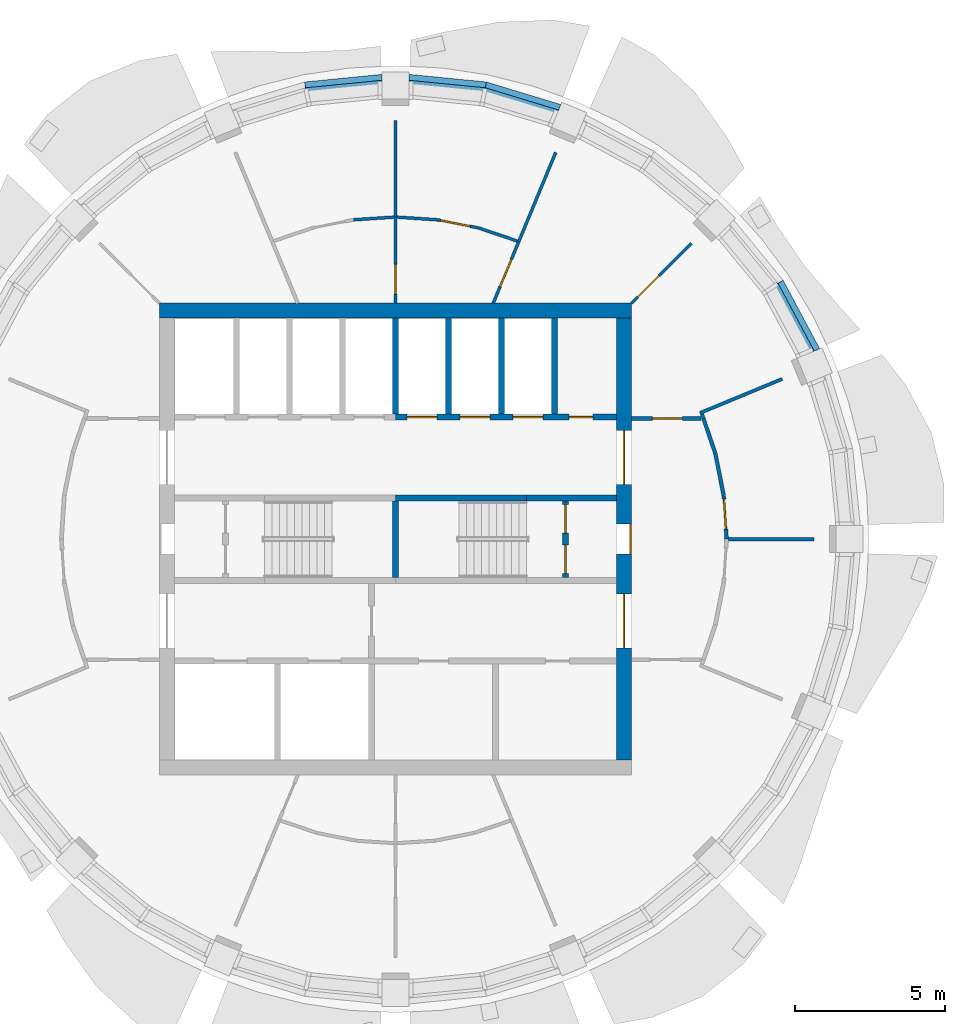
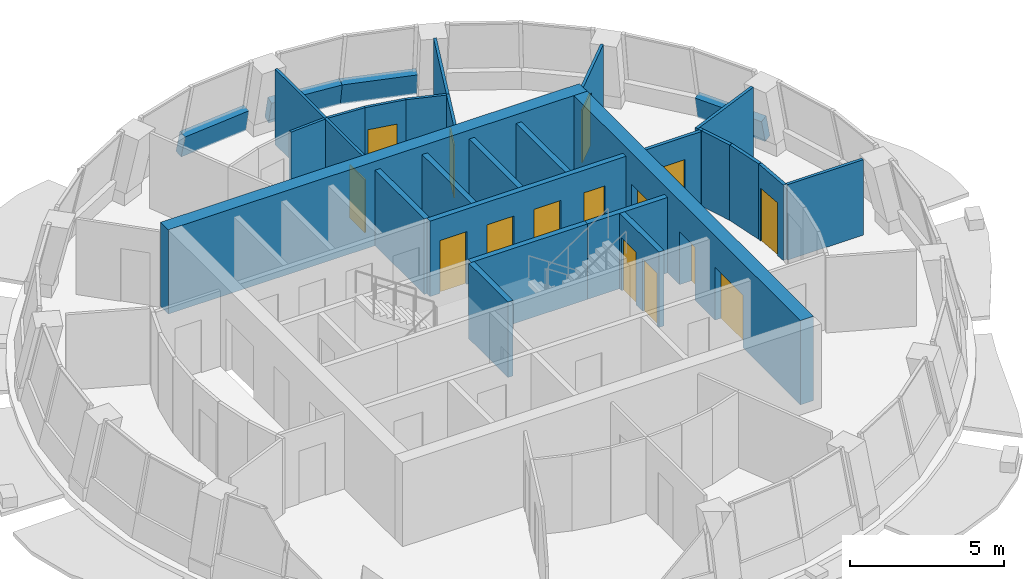
# One storey, part 6 of 11: 31 walls, 15 doors, 15 openings.
"""IFC4 building model written with IfcOpenShell, lengths in metres."""

from ifc_helpers import new_model, si_unit, direction, frame, frame_2d, origin, place, context, subcontext, project, spatial, polyline, rectangle, outline, extrude, material, layer, layer_set, type_object, element, fill, save


model = new_model("IFC4")

# Units and contexts
model_context = context("Model", 3, precision=1e-05, world=origin(), true_north=direction((0.0, 1.0)))
body_context = subcontext(model_context, "Body", "Model", "MODEL_VIEW")
ifc_project = project(units=[si_unit("LENGTHUNIT", "METRE"), si_unit("AREAUNIT", "SQUARE_METRE"), si_unit("VOLUMEUNIT", "CUBIC_METRE"), si_unit("PLANEANGLEUNIT", "RADIAN"), si_unit("MASSUNIT", "GRAM", prefix="KILO")], contexts=[model_context])

# Site, building, storey
site_placement = place(None, origin())
site = spatial("IfcSite", under=ifc_project, at=site_placement, CompositionType="ELEMENT")
building_placement = place(site_placement, origin())
building = spatial("IfcBuilding", under=site, at=building_placement, Name="Polderwave Tower", CompositionType="ELEMENT")
storey_placement = place(building_placement, frame((0.0, 0.0, 224.5)))
storey = spatial("IfcBuildingStorey", under=building, at=storey_placement, Name="L61", CompositionType="ELEMENT", Elevation=224.5)

# Wall
ifc_material_1 = material(Name="Concrete C60/75", Category="concrete")
ifc_layer_1 = layer(ifc_material_1, 0.5)
ifc_layer_set_1 = layer_set([ifc_layer_1], Name="CORE WALL 500 C60/75")
wall_type_1 = type_object("IfcWallType", Name="CORE WALL 500 C60/75", PredefinedType="SHEAR", material=ifc_layer_set_1)
wall_1_placement = place(storey_placement, frame((-7.8740234375, 7.6240234375, 0.0), z_axis=(0.0, 0.0, 1.0), x_axis=(1.0, 0.0, 0.0)))
element("IfcWall", 1, at=wall_1_placement, inside=storey, type_object=wall_type_1, Name="ST-CORE-L61-N", PredefinedType="SHEAR", context=body_context, shape_type="SweptSolid", body=[
    extrude(rectangle(XDim=15.748046875, YDim=0.5, at=frame_2d((7.8740234375, 0.0))), origin(), (0.0, 0.0, 1.0), 3.35009765625),
])

# Wall, openings, doors
wall_2_placement = place(storey_placement, frame((7.6240234375, -7.3740234375, 0.0), z_axis=(0.0, 0.0, 1.0), x_axis=(0.0, 1.0, 0.0)))
wall_2 = element("IfcWall", 2, at=wall_2_placement, inside=storey, type_object=wall_type_1, Name="ST-CORE-L61-E", PredefinedType="SHEAR", context=body_context, shape_type="SweptSolid", body=[
    extrude(rectangle(XDim=14.748046875, YDim=0.5, at=frame_2d((7.3740234375, 0.0))), origin(), (0.0, 0.0, 1.0), 3.35009765625),
])
opening_1_placement = place(wall_2_placement, frame((6.8740234375, 0.0, 0.0)))
opening_1 = element("IfcOpeningElement", 3, at=opening_1_placement, cuts=wall_2, Name="Opening L61-D21", PredefinedType="OPENING", context=body_context, shape_type="SweptSolid", body=[
    extrude(rectangle(XDim=1.0, YDim=2.10009765625, at=frame_2d((0.5, 1.050048828125))), frame((0.0, 0.260009765625, 0.0), z_axis=(0.0, -1.0, 0.0), x_axis=(1.0, 0.0, 0.0)), (0.0, 0.0, 1.0), 0.52001953125),
])
opening_2_placement = place(wall_2_placement, frame((3.74951171875, 0.0, 0.0)))
opening_2 = element("IfcOpeningElement", 4, at=opening_2_placement, cuts=wall_2, Name="Opening L61-D22", PredefinedType="OPENING", context=body_context, shape_type="SweptSolid", body=[
    extrude(rectangle(XDim=1.800048828125, YDim=2.10009765625, at=frame_2d((0.89990234375, 1.050048828125))), frame((0.0, 0.260009765625, 0.0), z_axis=(0.0, -1.0, 0.0), x_axis=(1.0, 0.0, 0.0)), (0.0, 0.0, 1.0), 0.52001953125),
])
opening_3_placement = place(wall_2_placement, frame((9.198486328125, 0.0, 0.0)))
opening_3 = element("IfcOpeningElement", 5, at=opening_3_placement, cuts=wall_2, Name="Opening L61-D23", PredefinedType="OPENING", context=body_context, shape_type="SweptSolid", body=[
    extrude(rectangle(XDim=1.800048828125, YDim=2.10009765625, at=frame_2d((0.89990234375, 1.050048828125))), frame((0.0, 0.260009765625, 0.0), z_axis=(0.0, -1.0, 0.0), x_axis=(1.0, 0.0, 0.0)), (0.0, 0.0, 1.0), 0.52001953125),
])
ifc_material_2 = material(Name="Steel fire door", Category="steel")
door_type_1 = type_object("IfcDoorType", Name="Lobby entry door pair 1800", OperationType="DOUBLE_DOOR_SINGLE_SWING", PredefinedType="DOOR", material=ifc_material_2)
door_1_placement = place(opening_2_placement, frame((1.800048828125, 0.0, 0.0), z_axis=(0.0, 0.0, 1.0), x_axis=(-1.0, 0.0, 0.0)))
door_1 = element("IfcDoor", 6, at=door_1_placement, inside=storey, type_object=door_type_1, Name="South lobby entry door", OperationType="DOUBLE_DOOR_SINGLE_SWING", OverallHeight=2.10009765625, OverallWidth=1.800048828125, PredefinedType="DOOR", context=body_context, shape_type="SweptSolid", body=[
    extrude(rectangle(XDim=1.800048828125, YDim=2.10009765625, at=frame_2d((0.89990234375, 1.050048828125))), frame((0.0, 0.02490234375, 0.0), z_axis=(0.0, -1.0, 0.0), x_axis=(1.0, 0.0, 0.0)), (0.0, 0.0, 1.0), 0.050048828125),
])
fill(opening_2, door_1)
door_2_placement = place(opening_3_placement, frame((1.800048828125, 0.0, 0.0), z_axis=(0.0, 0.0, 1.0), x_axis=(-1.0, 0.0, 0.0)))
door_2 = element("IfcDoor", 7, at=door_2_placement, inside=storey, type_object=door_type_1, Name="North lobby entry door", OperationType="DOUBLE_DOOR_SINGLE_SWING", OverallHeight=2.10009765625, OverallWidth=1.800048828125, PredefinedType="DOOR", context=body_context, shape_type="SweptSolid", body=[
    extrude(rectangle(XDim=1.800048828125, YDim=2.10009765625, at=frame_2d((0.89990234375, 1.050048828125))), frame((0.0, 0.02490234375, 0.0), z_axis=(0.0, -1.0, 0.0), x_axis=(1.0, 0.0, 0.0)), (0.0, 0.0, 1.0), 0.050048828125),
])
fill(opening_3, door_2)
door_type_2 = type_object("IfcDoorType", Name="Stair door 1000", OperationType="NOTDEFINED", PredefinedType="DOOR", material=ifc_material_2)
door_3_placement = place(opening_1_placement, frame((1.0, 0.0, 0.0), z_axis=(0.0, 0.0, 1.0), x_axis=(-1.0, 0.0, 0.0)))
door_3 = element("IfcDoor", 8, at=door_3_placement, inside=storey, type_object=door_type_2, Name="Stair B entry door", OperationType="SINGLE_SWING_LEFT", OverallHeight=2.10009765625, OverallWidth=1.0, PredefinedType="DOOR", context=body_context, shape_type="SweptSolid", body=[
    extrude(rectangle(XDim=1.0, YDim=2.10009765625, at=frame_2d((0.5, 1.050048828125))), frame((0.0, 0.25, 0.0), z_axis=(0.0, -1.0, 0.0), x_axis=(1.0, 0.0, 0.0)), (0.0, 0.0, 1.0), 0.050048828125),
])
fill(opening_1, door_3)

# Walls
ifc_material_3 = material(Name="Concrete C50/60 (board-marked)", Category="concrete")
ifc_layer_2 = layer(ifc_material_3, 0.300048828125)
ifc_layer_set_2 = layer_set([ifc_layer_2], Name="Concrete spandrel upstand C50/60")
wall_type_2 = type_object("IfcWallType", Name="Concrete spandrel upstand C50/60", PredefinedType="SOLIDWALL", material=ifc_layer_set_2)
wall_3_placement = place(storey_placement, frame((14.1572265625, 6.35400390625, 0.0), z_axis=(0.861752726177, 0.460586384793, 0.212702658821), x_axis=(-0.471372223942, 0.881934366314, -3.114104e-06)))
element("IfcWall", 9, at=wall_3_placement, inside=storey, type_object=wall_type_2, Name="Spandrel L61 2a", PredefinedType="SOLIDWALL", context=body_context, shape_type="SweptSolid", body=[
    extrude(outline(polyline([(0.0, 0.0), (2.594928611274423, -2.7755575615628914e-17), (2.5753532648335606, 0.920985295043385), (0.01941529380473597, 0.9209688790606901), (0.0, 0.0)])), origin(), (0.0, 0.0, -1.0), 0.300048828125),
])
wall_4_placement = place(storey_placement, frame((5.517578125, 14.50341796875, 0.0), z_axis=(0.283815219823, 0.935089635807, 0.212264679123), x_axis=(-0.956895239729, 0.290433297305, 1.256018e-06)))
element("IfcWall", 10, at=wall_4_placement, inside=storey, type_object=wall_type_2, Name="Spandrel L61 4a", PredefinedType="SOLIDWALL", context=body_context, shape_type="SweptSolid", body=[
    extrude(outline(polyline([(0.0, 0.0), (2.5950070976705564, 0.0), (2.575740816114674, 0.9208840189759286), (0.0195052048002585, 0.9208906399068612), (0.0, 0.0)])), origin(), (0.0, 0.0, -1.0), 0.300048828125),
])
wall_5_placement = place(storey_placement, frame((3.034423828125, 15.257080078125, 0.0), z_axis=(0.095619562057, 0.972456505396, 0.212568211321), x_axis=(-0.995200473918, 0.097857123826, -5.472073e-06)))
element("IfcWall", 11, at=wall_5_placement, inside=storey, type_object=wall_type_2, Name="Spandrel L61 4b", PredefinedType="SOLIDWALL", context=body_context, shape_type="SweptSolid", body=[
    extrude(outline(polyline([(0.0, 0.0), (2.5939993212860575, 0.0), (2.574738332060873, 0.920963930420198), (0.019267377080073818, 0.920935093099123), (0.0, 0.0)])), origin(), (0.0, 0.0, -1.0), 0.300048828125),
])
wall_6_placement = place(storey_placement, frame((-0.452880859375, 15.510986328125, 0.0), z_axis=(-0.09566812718, 0.972479253088, 0.212442255106), x_axis=(-0.995196064235, -0.097901959696, -4.325887e-06)))
element("IfcWall", 12, at=wall_6_placement, inside=storey, type_object=wall_type_2, Name="Spandrel L61 5a", PredefinedType="SOLIDWALL", context=body_context, shape_type="SweptSolid", body=[
    extrude(outline(polyline([(0.0, 0.0), (2.5939993216077757, 0.0), (2.5747319438866563, 0.9209350939918937), (0.01923709285513683, 0.9209122974994806), (0.0, 0.0)])), origin(), (0.0, 0.0, -1.0), 0.300048828125),
])

# Wall, openings, doors
ifc_material_4 = material(Name="Gypsum board partition")
ifc_layer_3 = layer(ifc_material_4, 0.199951171875)
ifc_layer_set_3 = layer_set([ifc_layer_3], Name="Core room partition 200")
wall_type_3 = type_object("IfcWallType", Name="Core room partition 200", PredefinedType="PARTITIONING", material=ifc_layer_set_3)
wall_7_placement = place(storey_placement, frame((5.674072265625, -1.27490234375, 0.0), z_axis=(0.0, 0.0, 1.0), x_axis=(0.0, 1.0, 0.0)))
wall_7 = element("IfcWall", 13, at=wall_7_placement, inside=storey, type_object=wall_type_3, Name="L61 smoke lobby wall B", PredefinedType="PARTITIONING", context=body_context, shape_type="SweptSolid", body=[
    extrude(rectangle(XDim=2.5498046875, YDim=0.199951171875, at=frame_2d((1.27490234375, 0.0))), origin(), (0.0, 0.0, 1.0), 3.0),
])
opening_4_placement = place(wall_7_placement, frame((0.125, 0.0, 0.0)))
opening_4 = element("IfcOpeningElement", 14, at=opening_4_placement, cuts=wall_7, Name="Opening L61-D12", PredefinedType="OPENING", context=body_context, shape_type="SweptSolid", body=[
    extrude(rectangle(XDim=0.949951171875, YDim=2.10009765625, at=frame_2d((0.47509765625, 1.050048828125))), frame((0.0, 0.10986328125, 0.0), z_axis=(0.0, -1.0, 0.0), x_axis=(1.0, 0.0, 0.0)), (0.0, 0.0, 1.0), 0.219970703125),
])
opening_5_placement = place(wall_7_placement, frame((1.47509765625, 0.0, 0.0)))
opening_5 = element("IfcOpeningElement", 15, at=opening_5_placement, cuts=wall_7, Name="Opening L61-D13", PredefinedType="OPENING", context=body_context, shape_type="SweptSolid", body=[
    extrude(rectangle(XDim=0.949951171875, YDim=2.10009765625, at=frame_2d((0.47509765625, 1.050048828125))), frame((0.0, 0.10986328125, 0.0), z_axis=(0.0, -1.0, 0.0), x_axis=(1.0, 0.0, 0.0)), (0.0, 0.0, 1.0), 0.219970703125),
])
door_type_3 = type_object("IfcDoorType", Name="Smoke lobby door 950", OperationType="NOTDEFINED", PredefinedType="DOOR", material=ifc_material_2)
door_4_placement = place(opening_4_placement, frame((0.949951171875, 0.0, 0.0), z_axis=(0.0, 0.0, 1.0), x_axis=(-1.0, 0.0, 0.0)))
door_4 = element("IfcDoor", 16, at=door_4_placement, inside=storey, type_object=door_type_3, Name="Stair B smoke lobby inner door", OperationType="SINGLE_SWING_RIGHT", OverallHeight=2.10009765625, OverallWidth=0.949951171875, PredefinedType="DOOR", context=body_context, shape_type="SweptSolid", body=[
    extrude(rectangle(XDim=0.949951171875, YDim=2.10009765625, at=frame_2d((0.47509765625, 1.050048828125))), frame((0.0, 0.02490234375, 0.0), z_axis=(0.0, -1.0, 0.0), x_axis=(1.0, 0.0, 0.0)), (0.0, 0.0, 1.0), 0.050048828125),
])
fill(opening_4, door_4)
door_5_placement = place(opening_5_placement, frame((0.949951171875, 0.0, 0.0), z_axis=(0.0, 0.0, 1.0), x_axis=(-1.0, 0.0, 0.0)))
door_5 = element("IfcDoor", 17, at=door_5_placement, inside=storey, type_object=door_type_3, Name="Stair B smoke lobby inner door", OperationType="SINGLE_SWING_LEFT", OverallHeight=2.10009765625, OverallWidth=0.949951171875, PredefinedType="DOOR", context=body_context, shape_type="SweptSolid", body=[
    extrude(rectangle(XDim=0.949951171875, YDim=2.10009765625, at=frame_2d((0.47509765625, 1.050048828125))), frame((0.0, 0.02490234375, 0.0), z_axis=(0.0, -1.0, 0.0), x_axis=(1.0, 0.0, 0.0)), (0.0, 0.0, 1.0), 0.050048828125),
])
fill(opening_5, door_5)

ifc_material_5 = material(Name="Concrete C50/60", Category="concrete")
ifc_layer_4 = layer(ifc_material_5, 0.199951171875)
ifc_layer_set_4 = layer_set([ifc_layer_4], Name="Core web wall 200")
wall_type_4 = type_object("IfcWallType", Name="Core web wall 200", PredefinedType="SHEAR", material=ifc_layer_set_4)
wall_8_placement = place(storey_placement, frame((0.0, 4.073974609375, 0.0), z_axis=(0.0, 0.0, 1.0), x_axis=(1.0, 0.0, 0.0)))
wall_8 = element("IfcWall", 18, at=wall_8_placement, inside=storey, type_object=wall_type_4, Name="L61 north front wall 2", PredefinedType="SHEAR", context=body_context, shape_type="SweptSolid", body=[
    extrude(rectangle(XDim=7.3740234375, YDim=0.199951171875, at=frame_2d((3.68701171875, 0.0))), origin(), (0.0, 0.0, 1.0), 3.0),
])
opening_6_placement = place(wall_8_placement, frame((0.38427734375, 0.0, 0.0)))
opening_6 = element("IfcOpeningElement", 19, at=opening_6_placement, cuts=wall_8, Name="Opening L61-D07", PredefinedType="OPENING", context=body_context, shape_type="SweptSolid", body=[
    extrude(rectangle(XDim=1.0, YDim=2.10009765625, at=frame_2d((0.5, 1.050048828125))), frame((0.0, 0.10986328125, 0.0), z_axis=(0.0, -1.0, 0.0), x_axis=(1.0, 0.0, 0.0)), (0.0, 0.0, 1.0), 0.219970703125),
])
opening_7_placement = place(wall_8_placement, frame((2.15283203125, 0.0, 0.0)))
opening_7 = element("IfcOpeningElement", 20, at=opening_7_placement, cuts=wall_8, Name="Opening L61-D08", PredefinedType="OPENING", context=body_context, shape_type="SweptSolid", body=[
    extrude(rectangle(XDim=1.0, YDim=2.10009765625, at=frame_2d((0.5, 1.050048828125))), frame((0.0, 0.10986328125, 0.0), z_axis=(0.0, -1.0, 0.0), x_axis=(1.0, 0.0, 0.0)), (0.0, 0.0, 1.0), 0.219970703125),
])
opening_8_placement = place(wall_8_placement, frame((3.921142578125, 0.0, 0.0)))
opening_8 = element("IfcOpeningElement", 21, at=opening_8_placement, cuts=wall_8, Name="Opening L61-D09", PredefinedType="OPENING", context=body_context, shape_type="SweptSolid", body=[
    extrude(rectangle(XDim=1.0, YDim=2.10009765625, at=frame_2d((0.5, 1.050048828125))), frame((0.0, 0.10986328125, 0.0), z_axis=(0.0, -1.0, 0.0), x_axis=(1.0, 0.0, 0.0)), (0.0, 0.0, 1.0), 0.219970703125),
])
opening_9_placement = place(wall_8_placement, frame((5.789794921875, 0.0, 0.0)))
opening_9 = element("IfcOpeningElement", 22, at=opening_9_placement, cuts=wall_8, Name="Opening L61-D17", PredefinedType="OPENING", context=body_context, shape_type="SweptSolid", body=[
    extrude(rectangle(XDim=0.800048828125, YDim=2.10009765625, at=frame_2d((0.39990234375, 1.050048828125))), frame((0.0, 0.10986328125, 0.0), z_axis=(0.0, -1.0, 0.0), x_axis=(1.0, 0.0, 0.0)), (0.0, 0.0, 1.0), 0.219970703125),
])
ifc_material_6 = material(Name="Stainless steel", Category="steel")
door_type_4 = type_object("IfcDoorType", Name="Lift landing door 1000", OperationType="DOUBLE_DOOR_SLIDING", PredefinedType="DOOR", material=ifc_material_6)
door_6_placement = place(opening_6_placement, frame((1.0, 0.0, 0.0), z_axis=(0.0, 0.0, 1.0), x_axis=(-1.0, 0.0, 0.0)))
door_6 = element("IfcDoor", 23, at=door_6_placement, inside=storey, type_object=door_type_4, Name="Lift HL5 landing door", OperationType="DOUBLE_DOOR_SLIDING", OverallHeight=2.10009765625, OverallWidth=1.0, PredefinedType="DOOR", context=body_context, shape_type="SweptSolid", body=[
    extrude(rectangle(XDim=1.0, YDim=2.10009765625, at=frame_2d((0.5, 1.050048828125))), frame((0.0, 0.02490234375, 0.0), z_axis=(0.0, -1.0, 0.0), x_axis=(1.0, 0.0, 0.0)), (0.0, 0.0, 1.0), 0.050048828125),
])
fill(opening_6, door_6)
door_7_placement = place(opening_7_placement, frame((1.0, 0.0, 0.0), z_axis=(0.0, 0.0, 1.0), x_axis=(-1.0, 0.0, 0.0)))
door_7 = element("IfcDoor", 24, at=door_7_placement, inside=storey, type_object=door_type_4, Name="Lift HL6 landing door", OperationType="DOUBLE_DOOR_SLIDING", OverallHeight=2.10009765625, OverallWidth=1.0, PredefinedType="DOOR", context=body_context, shape_type="SweptSolid", body=[
    extrude(rectangle(XDim=1.0, YDim=2.10009765625, at=frame_2d((0.5, 1.050048828125))), frame((0.0, 0.02490234375, 0.0), z_axis=(0.0, -1.0, 0.0), x_axis=(1.0, 0.0, 0.0)), (0.0, 0.0, 1.0), 0.050048828125),
])
fill(opening_7, door_7)
door_8_placement = place(opening_8_placement, frame((1.0, 0.0, 0.0), z_axis=(0.0, 0.0, 1.0), x_axis=(-1.0, 0.0, 0.0)))
door_8 = element("IfcDoor", 25, at=door_8_placement, inside=storey, type_object=door_type_4, Name="Lift HL7 landing door", OperationType="DOUBLE_DOOR_SLIDING", OverallHeight=2.10009765625, OverallWidth=1.0, PredefinedType="DOOR", context=body_context, shape_type="SweptSolid", body=[
    extrude(rectangle(XDim=1.0, YDim=2.10009765625, at=frame_2d((0.5, 1.050048828125))), frame((0.0, 0.02490234375, 0.0), z_axis=(0.0, -1.0, 0.0), x_axis=(1.0, 0.0, 0.0)), (0.0, 0.0, 1.0), 0.050048828125),
])
fill(opening_8, door_8)
door_type_5 = type_object("IfcDoorType", Name="Riser door 800", OperationType="NOTDEFINED", PredefinedType="DOOR", material=ifc_material_2)
door_9_placement = place(opening_9_placement, frame((0.800048828125, 0.0, 0.0), z_axis=(0.0, 0.0, 1.0), x_axis=(-1.0, 0.0, 0.0)))
door_9 = element("IfcDoor", 26, at=door_9_placement, inside=storey, type_object=door_type_5, Name="Riser door", OperationType="SINGLE_SWING_LEFT", OverallHeight=2.10009765625, OverallWidth=0.800048828125, PredefinedType="DOOR", context=body_context, shape_type="SweptSolid", body=[
    extrude(rectangle(XDim=0.800048828125, YDim=2.10009765625, at=frame_2d((0.39990234375, 1.050048828125))), frame((0.0, 0.02490234375, 0.0), z_axis=(0.0, -1.0, 0.0), x_axis=(1.0, 0.0, 0.0)), (0.0, 0.0, 1.0), 0.050048828125),
])
fill(opening_9, door_9)

# Walls
wall_9_placement = place(storey_placement, frame((0.0, 1.375, 0.0), z_axis=(0.0, 0.0, 1.0), x_axis=(1.0, 0.0, 0.0)))
element("IfcWall", 27, at=wall_9_placement, inside=storey, type_object=wall_type_4, Name="L61 north stair wall 3", PredefinedType="SHEAR", context=body_context, shape_type="SweptSolid", body=[
    extrude(rectangle(XDim=4.3740234375, YDim=0.199951171875, at=frame_2d((2.18701171875, 0.0))), origin(), (0.0, 0.0, 1.0), 3.0),
])
wall_10_placement = place(storey_placement, frame((4.3740234375, 1.375, 0.0), z_axis=(0.0, 0.0, 1.0), x_axis=(1.0, 0.0, 0.0)))
element("IfcWall", 28, at=wall_10_placement, inside=storey, type_object=wall_type_4, Name="L61 north stair wall 4", PredefinedType="SHEAR", context=body_context, shape_type="SweptSolid", body=[
    extrude(rectangle(XDim=3.0, YDim=0.199951171875, at=frame_2d((1.5, 0.0))), origin(), (0.0, 0.0, 1.0), 3.0),
])
wall_11_placement = place(storey_placement, frame((0.0, -1.27490234375, 0.0), z_axis=(0.0, 0.0, 1.0), x_axis=(0.0, 1.0, 0.0)))
element("IfcWall", 29, at=wall_11_placement, inside=storey, type_object=wall_type_4, Name="L61 wall between the stairs", PredefinedType="SHEAR", context=body_context, shape_type="SweptSolid", body=[
    extrude(rectangle(XDim=2.5498046875, YDim=0.199951171875, at=frame_2d((1.27490234375, 0.0))), origin(), (0.0, 0.0, 1.0), 3.0),
])
ifc_material_7 = material(Name="Fire-resisting board on steel studs", Category="steel")
ifc_layer_5 = layer(ifc_material_7, 0.125)
ifc_layer_set_5 = layer_set([ifc_layer_5], Name="Corridor wall 125 mm EI 60")
wall_type_5 = type_object("IfcWallType", Name="Corridor wall 125 mm EI 60", PredefinedType="PARTITIONING", material=ifc_layer_set_5)
wall_12_placement = place(storey_placement, frame((10.2783203125, 4.0244140625, 0.0), z_axis=(0.0, 0.0, 1.0), x_axis=(0.321363343769, -0.946955965862, 0.0)))
element("IfcWall", 30, at=wall_12_placement, inside=storey, type_object=wall_type_5, Name="IN-L61-W001", PredefinedType="PARTITIONING", context=body_context, shape_type="SweptSolid", body=[
    extrude(rectangle(XDim=1.225341796875, YDim=0.125, at=frame_2d((0.61279296875, 0.0))), origin(), (0.0, 0.0, 1.0), 3.0),
])
wall_13_placement = place(storey_placement, frame((10.67431640625, 2.85595703125, 0.0), z_axis=(0.0, 0.0, 1.0), x_axis=(0.195005351681, -0.980802178228, 0.0)))
element("IfcWall", 31, at=wall_13_placement, inside=storey, type_object=wall_type_5, Name="IN-L61-W002", PredefinedType="PARTITIONING", context=body_context, shape_type="SweptSolid", body=[
    extrude(rectangle(XDim=1.437255859375, YDim=0.125, at=frame_2d((0.71875, 0.0))), origin(), (0.0, 0.0, 1.0), 3.0),
])

# Wall, opening, door
wall_14_placement = place(storey_placement, frame((10.955810546875, 1.438232421875, 0.0), z_axis=(0.0, 0.0, 1.0), x_axis=(0.065383473363, -0.997860211358, 0.0)))
wall_14 = element("IfcWall", 32, at=wall_14_placement, inside=storey, type_object=wall_type_5, Name="IN-L61-W003", PredefinedType="PARTITIONING", context=body_context, shape_type="SweptSolid", body=[
    extrude(rectangle(XDim=1.44140625, YDim=0.125, at=frame_2d((0.720703125, 0.0))), origin(), (0.0, 0.0, 1.0), 3.0),
])
opening_10_placement = place(wall_14_placement, frame((0.10009765625, 0.0, 0.0)))
opening_10 = element("IfcOpeningElement", 33, at=opening_10_placement, cuts=wall_14, Name="Opening L61-D50", PredefinedType="OPENING", context=body_context, shape_type="SweptSolid", body=[
    extrude(rectangle(XDim=1.0, YDim=2.10009765625, at=frame_2d((0.5, 1.050048828125))), frame((0.0, 0.072509765625, 0.0), z_axis=(0.0, -1.0, 0.0), x_axis=(1.0, 0.0, 0.0)), (0.0, 0.0, 1.0), 0.14501953125),
])
ifc_material_8 = material(Name="Timber fire door leaf", Category="wood")
door_type_6 = type_object("IfcDoorType", Name="Fire door FD30S 1000 x 2100", OperationType="NOTDEFINED", PredefinedType="DOOR", material=ifc_material_8)
door_10_placement = place(opening_10_placement, origin())
door_10 = element("IfcDoor", 34, at=door_10_placement, inside=storey, type_object=door_type_6, Name="Door L61-D50", OperationType="SINGLE_SWING_LEFT", OverallHeight=2.10009765625, OverallWidth=1.0, PredefinedType="DOOR", context=body_context, shape_type="SweptSolid", body=[
    extrude(rectangle(XDim=1.0, YDim=2.10009765625, at=frame_2d((0.5, 1.050048828125))), frame((0.0, 0.02490234375, 0.0), z_axis=(0.0, -1.0, 0.0), x_axis=(1.0, 0.0, 0.0)), (0.0, 0.0, 1.0), 0.050048828125),
])
fill(opening_10, door_10)

wall_15_placement = place(storey_placement, frame((7.8740234375, 4.0244140625, 0.0), z_axis=(0.0, 0.0, 1.0), x_axis=(1.0, 0.0, 0.0)))
wall_15 = element("IfcWall", 35, at=wall_15_placement, inside=storey, type_object=wall_type_5, Name="IN-L61-W004", PredefinedType="PARTITIONING", context=body_context, shape_type="SweptSolid", body=[
    extrude(rectangle(XDim=2.31689453125, YDim=0.125, at=frame_2d((1.158447265625, 0.0))), origin(), (0.0, 0.0, 1.0), 3.0),
])
opening_11_placement = place(wall_15_placement, frame((0.699951171875, 0.0, 0.0)))
opening_11 = element("IfcOpeningElement", 36, at=opening_11_placement, cuts=wall_15, Name="Opening L61-D51", PredefinedType="OPENING", context=body_context, shape_type="SweptSolid", body=[
    extrude(rectangle(XDim=1.0, YDim=2.10009765625, at=frame_2d((0.5, 1.050048828125))), frame((0.0, 0.072509765625, 0.0), z_axis=(0.0, -1.0, 0.0), x_axis=(1.0, 0.0, 0.0)), (0.0, 0.0, 1.0), 0.14501953125),
])
door_11_placement = place(opening_11_placement, origin())
door_11 = element("IfcDoor", 37, at=door_11_placement, inside=storey, type_object=door_type_6, Name="Door L61-D51", OperationType="SINGLE_SWING_RIGHT", OverallHeight=2.10009765625, OverallWidth=1.0, PredefinedType="DOOR", context=body_context, shape_type="SweptSolid", body=[
    extrude(rectangle(XDim=1.0, YDim=2.10009765625, at=frame_2d((0.5, 1.050048828125))), frame((0.0, 0.02490234375, 0.0), z_axis=(0.0, -1.0, 0.0), x_axis=(1.0, 0.0, 0.0)), (0.0, 0.0, 1.0), 0.050048828125),
])
fill(opening_11, door_11)

ifc_material_9 = material(Name="Plasterboard on steel studs", Category="steel")
ifc_layer_6 = layer(ifc_material_9, 0.10009765625)
ifc_layer_set_6 = layer_set([ifc_layer_6], Name="Partition 100 mm plasterboard on steel studs")
wall_type_6 = type_object("IfcWallType", Name="Partition 100 mm plasterboard on steel studs", PredefinedType="PARTITIONING", material=ifc_layer_set_6)
wall_16_placement = place(storey_placement, frame((7.8740234375, 7.8740234375, 0.0), z_axis=(0.0, 0.0, 1.0), x_axis=(0.707106781187, 0.707106781187, 0.0)))
wall_16 = element("IfcWall", 38, at=wall_16_placement, inside=storey, type_object=wall_type_6, Name="IN-L61-W020", PredefinedType="PARTITIONING", context=body_context, shape_type="SweptSolid", body=[
    extrude(rectangle(XDim=2.834716796875, YDim=0.10009765625, at=frame_2d((1.41748046875, 0.0))), origin(), (0.0, 0.0, 1.0), 3.0),
])
opening_12_placement = place(wall_16_placement, frame((0.300048828125, 0.0, 0.0)))
opening_12 = element("IfcOpeningElement", 39, at=opening_12_placement, cuts=wall_16, Name="Opening L61-D57", PredefinedType="OPENING", context=body_context, shape_type="SweptSolid", body=[
    extrude(rectangle(XDim=1.0, YDim=2.10009765625, at=frame_2d((0.5, 1.050048828125))), frame((0.0, 0.06005859375, 0.0), z_axis=(0.0, -1.0, 0.0), x_axis=(1.0, 0.0, 0.0)), (0.0, 0.0, 1.0), 0.1201171875),
])
ifc_material_10 = material(Name="Timber veneer door leaf", Category="wood")
door_type_7 = type_object("IfcDoorType", Name="Single door 1000 x 2100", OperationType="NOTDEFINED", PredefinedType="DOOR", material=ifc_material_10)
door_12_placement = place(opening_12_placement, origin())
door_12 = element("IfcDoor", 40, at=door_12_placement, inside=storey, type_object=door_type_7, Name="Door L61-D57", OperationType="SINGLE_SWING_LEFT", OverallHeight=2.10009765625, OverallWidth=1.0, PredefinedType="DOOR", context=body_context, shape_type="SweptSolid", body=[
    extrude(rectangle(XDim=1.0, YDim=2.10009765625, at=frame_2d((0.5, 1.050048828125))), frame((0.0, 0.02490234375, 0.0), z_axis=(0.0, -1.0, 0.0), x_axis=(1.0, 0.0, 0.0)), (0.0, 0.0, 1.0), 0.050048828125),
])
fill(opening_12, door_12)

# Wall
wall_17_placement = place(storey_placement, frame((0.05322265625, 10.74658203125, 0.0), z_axis=(0.0, 0.0, 1.0), x_axis=(0.99785346224, -0.06548639473, 0.0)))
element("IfcWall", 41, at=wall_17_placement, inside=storey, type_object=wall_type_6, Name="IN-L61-W021", PredefinedType="PARTITIONING", context=body_context, shape_type="SweptSolid", body=[
    extrude(rectangle(XDim=1.349609375, YDim=0.10009765625, at=frame_2d((0.6748046875, 0.0))), origin(), (0.0, 0.0, 1.0), 3.0),
])

# Wall, opening, door
wall_18_placement = place(storey_placement, frame((1.406494140625, 10.657470703125, 0.0), z_axis=(0.0, 0.0, 1.0), x_axis=(0.980761417594, -0.19521025014, 0.0)))
wall_18 = element("IfcWall", 42, at=wall_18_placement, inside=storey, type_object=wall_type_6, Name="IN-L61-W022", PredefinedType="PARTITIONING", context=body_context, shape_type="SweptSolid", body=[
    extrude(rectangle(XDim=1.3994140625, YDim=0.10009765625, at=frame_2d((0.69970703125, 0.0))), origin(), (0.0, 0.0, 1.0), 3.0),
])
opening_13_placement = place(wall_18_placement, frame((0.10009765625, 0.0, 0.0)))
opening_13 = element("IfcOpeningElement", 43, at=opening_13_placement, cuts=wall_18, Name="Opening L61-D58", PredefinedType="OPENING", context=body_context, shape_type="SweptSolid", body=[
    extrude(rectangle(XDim=1.0, YDim=2.10009765625, at=frame_2d((0.5, 1.050048828125))), frame((0.0, 0.06005859375, 0.0), z_axis=(0.0, -1.0, 0.0), x_axis=(1.0, 0.0, 0.0)), (0.0, 0.0, 1.0), 0.1201171875),
])
door_13_placement = place(opening_13_placement, origin())
door_13 = element("IfcDoor", 44, at=door_13_placement, inside=storey, type_object=door_type_7, Name="Door L61-D58", OperationType="SINGLE_SWING_LEFT", OverallHeight=2.10009765625, OverallWidth=1.0, PredefinedType="DOOR", context=body_context, shape_type="SweptSolid", body=[
    extrude(rectangle(XDim=1.0, YDim=2.10009765625, at=frame_2d((0.5, 1.050048828125))), frame((0.0, 0.02490234375, 0.0), z_axis=(0.0, -1.0, 0.0), x_axis=(1.0, 0.0, 0.0)), (0.0, 0.0, 1.0), 0.050048828125),
])
fill(opening_13, door_13)

# Wall
wall_19_placement = place(storey_placement, frame((2.785400390625, 10.382568359375, 0.0), z_axis=(0.0, 0.0, 1.0), x_axis=(0.946968869726, -0.32132531766, 0.0)))
element("IfcWall", 45, at=wall_19_placement, inside=storey, type_object=wall_type_6, Name="IN-L61-W023", PredefinedType="PARTITIONING", context=body_context, shape_type="SweptSolid", body=[
    extrude(rectangle(XDim=1.349365234375, YDim=0.10009765625, at=frame_2d((0.6748046875, 0.0))), origin(), (0.0, 0.0, 1.0), 3.0),
])

# Wall, opening, door
wall_20_placement = place(storey_placement, frame((3.261474609375, 7.8740234375, 0.0), z_axis=(0.0, 0.0, 1.0), x_axis=(0.382684189911, 0.923879218725, 0.0)))
wall_20 = element("IfcWall", 46, at=wall_20_placement, inside=storey, type_object=wall_type_6, Name="IN-L61-W024", PredefinedType="PARTITIONING", context=body_context, shape_type="SweptSolid", body=[
    extrude(rectangle(XDim=2.22705078125, YDim=0.10009765625, at=frame_2d((1.113525390625, 0.0))), origin(), (0.0, 0.0, 1.0), 3.0),
])
opening_14_placement = place(wall_20_placement, frame((0.60009765625, 0.0, 0.0)))
opening_14 = element("IfcOpeningElement", 47, at=opening_14_placement, cuts=wall_20, Name="Opening L61-D59", PredefinedType="OPENING", context=body_context, shape_type="SweptSolid", body=[
    extrude(rectangle(XDim=1.0, YDim=2.10009765625, at=frame_2d((0.5, 1.050048828125))), frame((0.0, 0.06005859375, 0.0), z_axis=(0.0, -1.0, 0.0), x_axis=(1.0, 0.0, 0.0)), (0.0, 0.0, 1.0), 0.1201171875),
])
door_14_placement = place(opening_14_placement, origin())
door_14 = element("IfcDoor", 48, at=door_14_placement, inside=storey, type_object=door_type_7, Name="Door L61-D59", OperationType="SINGLE_SWING_LEFT", OverallHeight=2.10009765625, OverallWidth=1.0, PredefinedType="DOOR", context=body_context, shape_type="SweptSolid", body=[
    extrude(rectangle(XDim=1.0, YDim=2.10009765625, at=frame_2d((0.5, 1.050048828125))), frame((0.0, 0.02490234375, 0.0), z_axis=(0.0, -1.0, 0.0), x_axis=(1.0, 0.0, 0.0)), (0.0, 0.0, 1.0), 0.050048828125),
])
fill(opening_14, door_14)

wall_21_placement = place(storey_placement, frame((0.0, 7.8740234375, 0.0), z_axis=(0.0, 0.0, 1.0), x_axis=(0.0, 1.0, 0.0)))
wall_21 = element("IfcWall", 49, at=wall_21_placement, inside=storey, type_object=wall_type_6, Name="IN-L61-W025", PredefinedType="PARTITIONING", context=body_context, shape_type="SweptSolid", body=[
    extrude(rectangle(XDim=2.8759765625, YDim=0.10009765625, at=frame_2d((1.43798828125, 0.0))), origin(), (0.0, 0.0, 1.0), 3.0),
])
opening_15_placement = place(wall_21_placement, frame((0.300048828125, 0.0, 0.0)))
opening_15 = element("IfcOpeningElement", 50, at=opening_15_placement, cuts=wall_21, Name="Opening L61-D60", PredefinedType="OPENING", context=body_context, shape_type="SweptSolid", body=[
    extrude(rectangle(XDim=1.0, YDim=2.10009765625, at=frame_2d((0.5, 1.050048828125))), frame((0.0, 0.06005859375, 0.0), z_axis=(0.0, -1.0, 0.0), x_axis=(1.0, 0.0, 0.0)), (0.0, 0.0, 1.0), 0.1201171875),
])
door_15_placement = place(opening_15_placement, origin())
door_15 = element("IfcDoor", 51, at=door_15_placement, inside=storey, type_object=door_type_7, Name="Door L61-D60", OperationType="SINGLE_SWING_LEFT", OverallHeight=2.10009765625, OverallWidth=1.0, PredefinedType="DOOR", context=body_context, shape_type="SweptSolid", body=[
    extrude(rectangle(XDim=1.0, YDim=2.10009765625, at=frame_2d((0.5, 1.050048828125))), frame((0.0, 0.02490234375, 0.0), z_axis=(0.0, -1.0, 0.0), x_axis=(1.0, 0.0, 0.0)), (0.0, 0.0, 1.0), 0.050048828125),
])
fill(opening_15, door_15)

# Walls
for number, where, z_axis, x_axis, name in (
    (52, (5.34619140625, 12.906494140625, 0.0), (0.0, 0.0, 1.0), (-0.382735705454, -0.923857878556, 0.0), "IN-L61-W026"),
    (53, (0.0, 10.75, 0.0), (0.0, 0.0, 1.0), (0.0, 1.0, 0.0), "IN-L61-W027"),
):
    element("IfcWall", number, at=place(storey_placement, frame(where, z_axis=z_axis, x_axis=x_axis)), inside=storey, type_object=wall_type_6, Name=name, PredefinedType="PARTITIONING", context=body_context, shape_type="SweptSolid", body=[
        extrude(rectangle(XDim=3.219970703125, YDim=0.10009765625, at=frame_2d((1.60986328125, 0.0))), origin(), (0.0, 0.0, 1.0), 3.0),
    ])
wall_22_placement = place(storey_placement, frame((-1.39990234375, 10.658203125, 0.0), z_axis=(0.0, 0.0, 1.0), x_axis=(0.99785346224, 0.06548639473, 0.0)))
element("IfcWall", 54, at=wall_22_placement, inside=storey, type_object=wall_type_6, Name="IN-L61-W030", PredefinedType="PARTITIONING", context=body_context, shape_type="SweptSolid", body=[
    extrude(rectangle(XDim=1.349609375, YDim=0.10009765625, at=frame_2d((0.6748046875, 0.0))), origin(), (0.0, 0.0, 1.0), 3.0),
])
ifc_material_11 = material(Name="Acoustic double plasterboard on steel studs", Category="steel")
ifc_layer_7 = layer(ifc_material_11, 0.110107421875)
ifc_layer_set_7 = layer_set([ifc_layer_7], Name="Partition 110 mm acoustic double board")
wall_type_7 = type_object("IfcWallType", Name="Partition 110 mm acoustic double board", PredefinedType="PARTITIONING", material=ifc_layer_set_7)
wall_23_placement = place(storey_placement, frame((10.158203125, 4.207763671875, 0.0), z_axis=(0.0, 0.0, 1.0), x_axis=(0.923873789219, 0.382697297604, 0.0)))
element("IfcWall", 55, at=wall_23_placement, inside=storey, type_object=wall_type_7, Name="IN-L61-W017", PredefinedType="PARTITIONING", context=body_context, shape_type="SweptSolid", body=[
    extrude(rectangle(XDim=2.974853515625, YDim=0.110107421875, at=frame_2d((1.4873046875, 0.0))), origin(), (0.0, 0.0, 1.0), 3.0),
])
wall_24_placement = place(storey_placement, frame((10.2783203125, 4.0244140625, 0.0), z_axis=(0.0, 0.0, 1.0), x_axis=(-0.321819116975, 0.94680117023, 0.0)))
element("IfcWall", 56, at=wall_24_placement, inside=storey, type_object=wall_type_7, Name="IN-L61-W018", PredefinedType="PARTITIONING", context=body_context, shape_type="SweptSolid", body=[
    extrude(rectangle(XDim=0.156982421875, YDim=0.110107421875, at=frame_2d((0.07861328125, 0.0))), origin(), (0.0, 0.0, 1.0), 3.0),
])
wall_25_placement = place(storey_placement, frame((13.969970703125, 0.0, 0.0), z_axis=(0.0, 0.0, 1.0), x_axis=(-1.0, 0.0, 0.0)))
element("IfcWall", 57, at=wall_25_placement, inside=storey, type_object=wall_type_7, Name="IN-L61-W019", PredefinedType="PARTITIONING", context=body_context, shape_type="SweptSolid", body=[
    extrude(rectangle(XDim=2.853759765625, YDim=0.110107421875, at=frame_2d((1.4267578125, 0.0))), origin(), (0.0, 0.0, 1.0), 3.0),
])
ifc_material_12 = material(Name="Gypsum shaft wall system")
ifc_layer_8 = layer(ifc_material_12, 0.199951171875)
ifc_layer_set_8 = layer_set([ifc_layer_8], Name="Shaft wall 200")
wall_type_8 = type_object("IfcWallType", Name="Shaft wall 200", PredefinedType="PARTITIONING", material=ifc_layer_set_8)
for number, where, z_axis, x_axis, name in (
    (58, (0.0, 4.174072265625, 0.0), (0.0, 0.0, 1.0), (0.0, 1.0, 0.0), "L61 lift shaft wall N4"),
    (59, (1.7685546875, 4.174072265625, 0.0), (0.0, 0.0, 1.0), (0.0, 1.0, 0.0), "L61 lift shaft wall N5"),
    (60, (3.537109375, 4.174072265625, 0.0), (0.0, 0.0, 1.0), (0.0, 1.0, 0.0), "L61 lift shaft wall N6"),
    (61, (5.305419921875, 4.174072265625, 0.0), (0.0, 0.0, 1.0), (0.0, 1.0, 0.0), "L61 lift shaft wall N7"),
):
    element("IfcWall", number, at=place(storey_placement, frame(where, z_axis=z_axis, x_axis=x_axis)), inside=storey, type_object=wall_type_8, Name=name, PredefinedType="PARTITIONING", context=body_context, shape_type="SweptSolid", body=[
        extrude(rectangle(XDim=3.199951171875, YDim=0.199951171875, at=frame_2d((1.60009765625, 0.0))), origin(), (0.0, 0.0, 1.0), 3.0),
    ])

save(model, "model.ifc")
